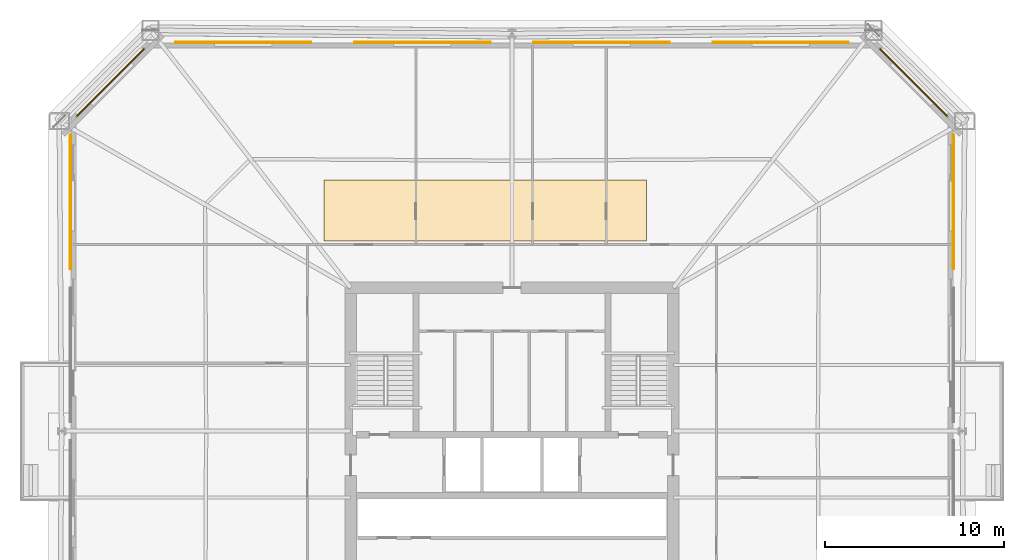
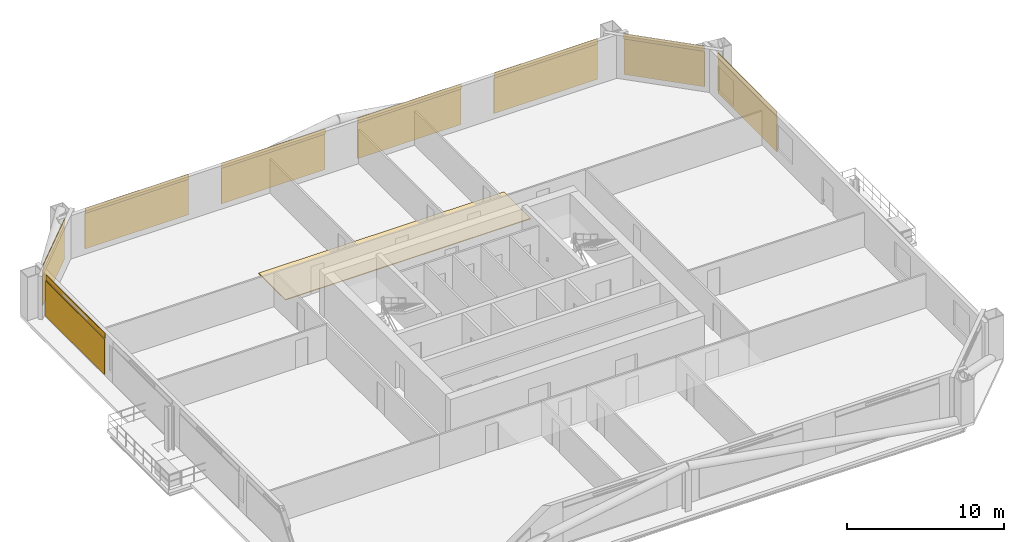
# One storey, part 10 of 10: 9 coverings, 8 shading devices.
"""IFC4 building model written with IfcOpenShell, lengths in metres."""

from ifc_helpers import new_model, si_unit, direction, frame, origin, origin_2d, place, context, subcontext, project, spatial, polyline, rectangle, outline, extrude, material, layer, layer_set, type_object, element, save


model = new_model("IFC4")

# Units and contexts
model_context = context("Model", 3, precision=1e-05, world=origin(), true_north=direction((0.0, 1.0)))
body_context = subcontext(model_context, "Body", "Model", "MODEL_VIEW")
ifc_project = project(units=[si_unit("LENGTHUNIT", "METRE"), si_unit("AREAUNIT", "SQUARE_METRE"), si_unit("VOLUMEUNIT", "CUBIC_METRE"), si_unit("PLANEANGLEUNIT", "RADIAN"), si_unit("MASSUNIT", "GRAM", prefix="KILO")], contexts=[model_context])

# Site, building, storey
site_placement = place(None, origin())
site = spatial("IfcSite", under=ifc_project, at=site_placement, CompositionType="ELEMENT")
building_placement = place(site_placement, origin())
building = spatial("IfcBuilding", under=site, at=building_placement, Name="Caelvoria Tower", CompositionType="ELEMENT")
storey_placement = place(building_placement, frame((0.0, 0.0, 60.39990234375)))
storey = spatial("IfcBuildingStorey", under=building, at=storey_placement, Name="L15", CompositionType="ELEMENT", Elevation=60.39990234375)

# Coverings
ifc_material_1 = material(Name="Perforated Architectural Bronze Cladding Screen", Category="bronze")
ifc_layer_1 = layer(ifc_material_1, 0.0400390625, Name="Perforated Architectural Bronze Cladding Screen")
ifc_layer_set_1 = layer_set([ifc_layer_1], Name="Perforated Bronze Louvre Cladding Band 40 - Perforated Architectural Bronze Cladding Screen")
covering_type_1 = type_object("IfcCoveringType", Name="Perforated Bronze Louvre Cladding Band 40", PredefinedType="CLADDING", material=ifc_layer_set_1)
covering_1_placement = place(storey_placement, frame((70.6220703125, 44.780029296875, 2.940185546875), z_axis=(0.0, 0.0, 1.0), x_axis=(0.0, 1.0, 0.0)))
element("IfcCovering", 1, at=covering_1_placement, inside=storey, type_object=covering_type_1, Name="Perforated Bronze Screen Band L15-E2-03", PredefinedType="CLADDING", context=body_context, shape_type="SweptSolid", body=[
    extrude(rectangle(XDim=7.49755859375, YDim=0.0400390625, at=origin_2d()), origin(), (0.0, 0.0, 1.0), 0.39990234375),
])
covering_2_placement = place(storey_placement, frame((68.381591796875, 51.431640625, 2.940185546875), z_axis=(0.0, 0.0, 1.0), x_axis=(-0.707106781187, 0.707106781187, 0.0)))
element("IfcCovering", 2, at=covering_2_placement, inside=storey, type_object=covering_type_1, Name="Perforated Bronze Screen Band L15-E3-00", PredefinedType="CLADDING", context=body_context, shape_type="SweptSolid", body=[
    extrude(rectangle(XDim=5.309814453125, YDim=0.0400390625, at=origin_2d()), origin(), (0.0, 0.0, 1.0), 0.39990234375),
])
for number, where, z_axis, x_axis, name in (
    (3, (60.992431640625, 53.672119140625, 2.940185546875), (0.0, 0.0, 1.0), (-1.0, 0.0, 0.0), "Perforated Bronze Screen Band L15-E4-00"),
    (4, (50.99755859375, 53.672119140625, 2.940185546875), (0.0, 0.0, 1.0), (-1.0, 0.0, 0.0), "Perforated Bronze Screen Band L15-E4-01"),
    (5, (41.00244140625, 53.672119140625, 2.940185546875), (0.0, 0.0, 1.0), (-1.0, 0.0, 0.0), "Perforated Bronze Screen Band L15-E4-02"),
    (6, (31.007568359375, 53.672119140625, 2.940185546875), (0.0, 0.0, 1.0), (-1.0, 0.0, 0.0), "Perforated Bronze Screen Band L15-E4-03"),
):
    element("IfcCovering", number, at=place(storey_placement, frame(where, z_axis=z_axis, x_axis=x_axis)), inside=storey, type_object=covering_type_1, Name=name, PredefinedType="CLADDING", context=body_context, shape_type="SweptSolid", body=[
        extrude(rectangle(XDim=7.60009765625, YDim=0.0400390625, at=origin_2d()), origin(), (0.0, 0.0, 1.0), 0.39990234375),
    ])
covering_3_placement = place(storey_placement, frame((23.618408203125, 51.431640625, 2.940185546875), z_axis=(0.0, 0.0, 1.0), x_axis=(-0.707106781187, -0.707106781187, 0.0)))
element("IfcCovering", 7, at=covering_3_placement, inside=storey, type_object=covering_type_1, Name="Perforated Bronze Screen Band L15-E5-00", PredefinedType="CLADDING", context=body_context, shape_type="SweptSolid", body=[
    extrude(rectangle(XDim=5.309814453125, YDim=0.0400390625, at=origin_2d()), origin(), (0.0, 0.0, 1.0), 0.39990234375),
])
covering_4_placement = place(storey_placement, frame((21.3779296875, 44.780029296875, 2.940185546875), z_axis=(0.0, 0.0, 1.0), x_axis=(0.0, -1.0, 0.0)))
element("IfcCovering", 8, at=covering_4_placement, inside=storey, type_object=covering_type_1, Name="Perforated Bronze Screen Band L15-E6-00", PredefinedType="CLADDING", context=body_context, shape_type="SweptSolid", body=[
    extrude(rectangle(XDim=7.49755859375, YDim=0.0400390625, at=origin_2d()), origin(), (0.0, 0.0, 1.0), 0.39990234375),
])

# Shading devices
ifc_material_2 = material(Name="Perforated Architectural Bronze Alloy Panel", Category="bronze")
ifc_layer_2 = layer(ifc_material_2, 0.044921875, Name="Perforated Architectural Bronze Alloy Panel")
ifc_layer_set_2 = layer_set([ifc_layer_2], Name="Perforated Bronze Solar Screen Panel SCREEN - Perforated Architectural Bronze Alloy Panel")
shading_device_type = type_object("IfcShadingDeviceType", Name="Perforated Bronze Solar Screen Panel SCREEN", PredefinedType="USERDEFINED", material=ifc_layer_set_2)
shading_device_1_placement = place(storey_placement, frame((70.6650390625, 44.780029296875, 0.16015625), z_axis=(0.0, 0.0, 1.0), x_axis=(0.0, 1.0, 0.0)))
element("IfcShadingDevice", 9, at=shading_device_1_placement, inside=storey, type_object=shading_device_type, Name="Perforated Bronze Solar Screen L15-E2-03", ObjectType="SCREEN", PredefinedType="USERDEFINED", context=body_context, shape_type="SweptSolid", body=[
    extrude(rectangle(XDim=7.49755859375, YDim=0.044921875, at=origin_2d()), origin(), (0.0, 0.0, 1.0), 2.75),
])
shading_device_2_placement = place(storey_placement, frame((68.412109375, 51.462158203125, 0.16015625), z_axis=(0.0, 0.0, 1.0), x_axis=(-0.707106781187, 0.707106781187, 0.0)))
element("IfcShadingDevice", 10, at=shading_device_2_placement, inside=storey, type_object=shading_device_type, Name="Perforated Bronze Solar Screen L15-E3-00", ObjectType="SCREEN", PredefinedType="USERDEFINED", context=body_context, shape_type="SweptSolid", body=[
    extrude(rectangle(XDim=5.309814453125, YDim=0.044921875, at=origin_2d()), origin(), (0.0, 0.0, 1.0), 2.75),
])
for number, where, z_axis, x_axis, name in (
    (11, (60.992431640625, 53.715087890625, 0.16015625), (0.0, 0.0, 1.0), (-1.0, 0.0, 0.0), "Perforated Bronze Solar Screen L15-E4-00"),
    (12, (50.99755859375, 53.715087890625, 0.16015625), (0.0, 0.0, 1.0), (-1.0, 0.0, 0.0), "Perforated Bronze Solar Screen L15-E4-01"),
    (13, (41.00244140625, 53.715087890625, 0.16015625), (0.0, 0.0, 1.0), (-1.0, 0.0, 0.0), "Perforated Bronze Solar Screen L15-E4-02"),
    (14, (31.007568359375, 53.715087890625, 0.16015625), (0.0, 0.0, 1.0), (-1.0, 0.0, 0.0), "Perforated Bronze Solar Screen L15-E4-03"),
):
    element("IfcShadingDevice", number, at=place(storey_placement, frame(where, z_axis=z_axis, x_axis=x_axis)), inside=storey, type_object=shading_device_type, Name=name, ObjectType="SCREEN", PredefinedType="USERDEFINED", context=body_context, shape_type="SweptSolid", body=[
        extrude(rectangle(XDim=7.60009765625, YDim=0.044921875, at=origin_2d()), origin(), (0.0, 0.0, 1.0), 2.75),
    ])
shading_device_3_placement = place(storey_placement, frame((23.587890625, 51.462158203125, 0.16015625), z_axis=(0.0, 0.0, 1.0), x_axis=(-0.707106781187, -0.707106781187, 0.0)))
element("IfcShadingDevice", 15, at=shading_device_3_placement, inside=storey, type_object=shading_device_type, Name="Perforated Bronze Solar Screen L15-E5-00", ObjectType="SCREEN", PredefinedType="USERDEFINED", context=body_context, shape_type="SweptSolid", body=[
    extrude(rectangle(XDim=5.309814453125, YDim=0.044921875, at=origin_2d()), origin(), (0.0, 0.0, 1.0), 2.75),
])
shading_device_4_placement = place(storey_placement, frame((21.3349609375, 44.780029296875, 0.16015625), z_axis=(0.0, 0.0, 1.0), x_axis=(0.0, -1.0, 0.0)))
element("IfcShadingDevice", 16, at=shading_device_4_placement, inside=storey, type_object=shading_device_type, Name="Perforated Bronze Solar Screen L15-E6-00", ObjectType="SCREEN", PredefinedType="USERDEFINED", context=body_context, shape_type="SweptSolid", body=[
    extrude(rectangle(XDim=7.49755859375, YDim=0.044921875, at=origin_2d()), origin(), (0.0, 0.0, 1.0), 2.75),
])

# Covering
ifc_material_3 = material(Name="Calcium-Sulphate Raised Floor Tile", Category="gypsum")
ifc_layer_3 = layer(ifc_material_3, 0.06005859375, Name="Calcium-Sulphate Raised Floor Tile")
ifc_layer_set_3 = layer_set([ifc_layer_3], Name="Raised Access Office Floor System 120 - Calcium-Sulphate Raised Floor Tile")
covering_type_2 = type_object("IfcCoveringType", Name="Raised Access Office Floor System 120", PredefinedType="FLOORING", material=ifc_layer_set_3)
covering_5_placement = place(storey_placement, origin())
element("IfcCovering", 17, at=covering_5_placement, inside=storey, type_object=covering_type_2, Name="Raised Access Flooring L15", PredefinedType="FLOORING", context=body_context, shape_type="SweptSolid", body=[
    extrude(outline(polyline([(35.5, 42.60009765625), (53.5, 42.60009765625), (53.5, 46.0), (35.5, 46.0), (35.5, 42.60009765625)])), origin(), (0.0, 0.0, 1.0), 0.06005859375),
])

save(model, "model.ifc")
